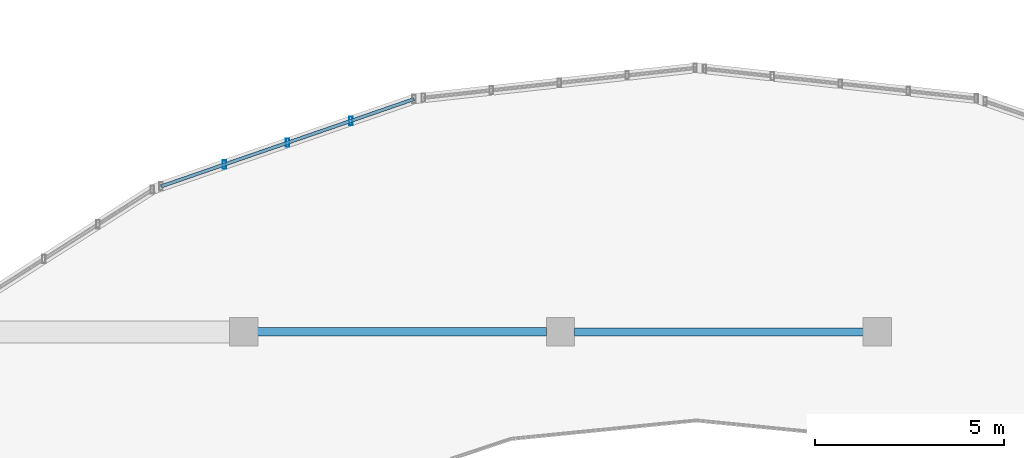
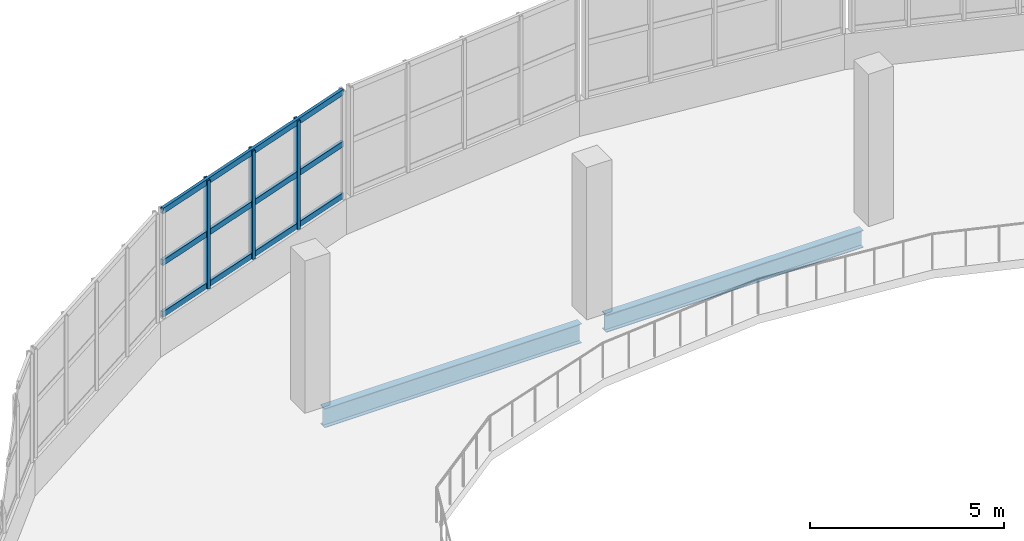
# One storey, part 15 of 77: 6 members, 2 beams, 1 element without a shape of its own.
"""IFC4 building model written with IfcOpenShell, lengths in metres."""

from ifc_helpers import new_model, si_unit, direction, frame, origin, origin_2d, place, context, subcontext, project, spatial, hollow_rectangle, i_section, extrude, material, material_profile, profile_set, type_object, element, aggregate, save


model = new_model("IFC4")

# Units and contexts
model_context = context("Model", 3, precision=1e-05, world=origin(), true_north=direction((0.0, 1.0)))
body_context = subcontext(model_context, "Body", "Model", "MODEL_VIEW")
ifc_project = project(units=[si_unit("LENGTHUNIT", "METRE"), si_unit("AREAUNIT", "SQUARE_METRE"), si_unit("VOLUMEUNIT", "CUBIC_METRE"), si_unit("PLANEANGLEUNIT", "RADIAN"), si_unit("MASSUNIT", "GRAM", prefix="KILO")], contexts=[model_context])

# Site, building, storey
site_placement = place(None, origin())
site = spatial("IfcSite", under=ifc_project, at=site_placement, CompositionType="ELEMENT")
building_placement = place(site_placement, origin())
building = spatial("IfcBuilding", under=site, at=building_placement, Name="Solvento Point Concert Hall", CompositionType="ELEMENT")
storey_placement = place(building_placement, frame((0.0, 0.0, 10.199951171875)))
storey = spatial("IfcBuildingStorey", under=building, at=storey_placement, Name="L02", CompositionType="ELEMENT", Elevation=10.199951171875)

# Beams
ifc_material_1 = material(Name="Structural Steel ASTM A992 Grade 50", Category="steel")
ifc_material_profile_1 = material_profile(ifc_material_1, i_section(OverallWidth=0.214111328125, OverallDepth=0.549072265625, WebThickness=0.0146484375, FlangeThickness=0.023681640625, at=origin_2d()), Name="W21X93")
ifc_profile_set_1 = profile_set([ifc_material_profile_1], Name="Structural Steel ASTM A992 Grade 50")
beam_type_1 = type_object("IfcBeamType", Name="Beam_W21X93", PredefinedType="BEAM", material=ifc_profile_set_1)
beam_1_placement = place(storey_placement, frame((57.968994140625, 51.0, -0.54833984375), z_axis=(1.0, 0.0, 0.0), x_axis=(0.0, 1.0, 0.0)))
element("IfcBeam", 1, at=beam_1_placement, inside=storey, type_object=beam_type_1, Name="Primary girder B-48 L02", PredefinedType="BEAM", context=body_context, shape_type="SweptSolid", body=[
    extrude(i_section(OverallWidth=0.214111328125, OverallDepth=0.549072265625, WebThickness=0.0146484375, FlangeThickness=0.023681640625, at=origin_2d()), origin(), (0.0, 0.0, 1.0), 7.662109375),
])
ifc_material_2 = material(Name="Structural Steel ASTM A992 Grade 50", Category="steel")
ifc_material_profile_2 = material_profile(ifc_material_2, i_section(OverallWidth=0.228515625, OverallDepth=0.60791015625, WebThickness=0.01123046875, FlangeThickness=0.017333984375, at=origin_2d()), Name="W24X76")
ifc_profile_set_2 = profile_set([ifc_material_profile_2], Name="Structural Steel ASTM A992 Grade 50")
beam_type_2 = type_object("IfcBeamType", Name="Beam_W24X76", PredefinedType="BEAM", material=ifc_profile_set_2)
beam_2_placement = place(storey_placement, frame((49.569091796875, 51.0, -0.577880859375), z_axis=(1.0, 0.0, 0.0), x_axis=(0.0, 1.0, 0.0)))
element("IfcBeam", 2, at=beam_2_placement, inside=storey, type_object=beam_type_2, Name="Primary girder B-42 L02", PredefinedType="BEAM", context=body_context, shape_type="SweptSolid", body=[
    extrude(i_section(OverallWidth=0.228515625, OverallDepth=0.60791015625, WebThickness=0.01123046875, FlangeThickness=0.017333984375, at=origin_2d()), origin(), (0.0, 0.0, 1.0), 7.661865234375),
])

# Curtain wall, members
ifc_material_3 = material(Name="Anodized Bronze Aluminium", Category="aluminium")
curtain_wall_type = type_object("IfcCurtainWallType", Name="CurtainWall_RingRibbon_L01_02", PredefinedType="USERDEFINED", material=ifc_material_3)
curtain_wall_placement = place(storey_placement, origin())
curtain_wall = element("IfcCurtainWall", 3, at=curtain_wall_placement, inside=storey, type_object=curtain_wall_type, Name="Unitised curtain wall CW-59 UCW-L02-174", ObjectType="UNITISED CURTAIN WALL", PredefinedType="USERDEFINED")
ifc_material_4 = material(Name="Anodized Bronze Aluminium", Category="aluminium")
ifc_material_profile_3 = material_profile(ifc_material_4, hollow_rectangle(XDim=0.090087890625, YDim=0.219970703125, WallThickness=0.00439453125, at=origin_2d()), Name="CW-MUL-90X220")
ifc_profile_set_3 = profile_set([ifc_material_profile_3], Name="Anodized Bronze Aluminium")
member_type_1 = type_object("IfcMemberType", Name="Mullion_90x220", PredefinedType="MULLION", material=ifc_profile_set_3)
member_1_placement = place(storey_placement, frame((48.685302734375, 55.435302734375, 1.1201171875), z_axis=(0.0, 0.0, 1.0), x_axis=(1.0, 0.0, 0.0)))
member_1 = element("IfcMember", 4, at=member_1_placement, type_object=member_type_1, Name="Curtain wall mullion ML-02", PredefinedType="MULLION", context=body_context, shape_type="SweptSolid", body=[
    extrude(hollow_rectangle(XDim=0.090087890625, YDim=0.219970703125, WallThickness=0.00439453125, at=origin_2d()), origin(), (0.0, 0.0, 1.0), 3.419921875),
])
member_2_placement = place(storey_placement, frame((50.36279296875, 56.014404296875, 1.1201171875), z_axis=(0.0, 0.0, 1.0), x_axis=(1.0, 0.0, 0.0)))
member_2 = element("IfcMember", 5, at=member_2_placement, type_object=member_type_1, Name="Curtain wall mullion ML-02", PredefinedType="MULLION", context=body_context, shape_type="SweptSolid", body=[
    extrude(hollow_rectangle(XDim=0.090087890625, YDim=0.219970703125, WallThickness=0.00439453125, at=origin_2d()), origin(), (0.0, 0.0, 1.0), 3.419921875),
])
member_3_placement = place(storey_placement, frame((52.040283203125, 56.593505859375, 1.1201171875), z_axis=(0.0, 0.0, 1.0), x_axis=(1.0, 0.0, 0.0)))
member_3 = element("IfcMember", 6, at=member_3_placement, type_object=member_type_1, Name="Curtain wall mullion ML-02", PredefinedType="MULLION", context=body_context, shape_type="SweptSolid", body=[
    extrude(hollow_rectangle(XDim=0.090087890625, YDim=0.219970703125, WallThickness=0.00439453125, at=origin_2d()), origin(), (0.0, 0.0, 1.0), 3.419921875),
])
ifc_material_5 = material(Name="Anodized Bronze Aluminium", Category="aluminium")
ifc_material_profile_4 = material_profile(ifc_material_5, hollow_rectangle(XDim=0.090087890625, YDim=0.179931640625, WallThickness=0.00439453125, at=origin_2d()), Name="CW-TRN-90X180")
ifc_profile_set_4 = profile_set([ifc_material_profile_4], Name="Anodized Bronze Aluminium")
member_type_2 = type_object("IfcMemberType", Name="Transom_90x180", PredefinedType="USERDEFINED", material=ifc_profile_set_4)
member_4_placement = place(storey_placement, frame((47.008056640625, 54.8564453125, 1.199951171875), z_axis=(0.945272782673, 0.32628111551, 0.0), x_axis=(-0.32628111551, 0.945272782673, 0.0)))
member_4 = element("IfcMember", 7, at=member_4_placement, type_object=member_type_2, Name="Curtain wall transom TR-02", ObjectType="TRANSOM", PredefinedType="USERDEFINED", context=body_context, shape_type="SweptSolid", body=[
    extrude(hollow_rectangle(XDim=0.090087890625, YDim=0.179931640625, WallThickness=0.00439453125, at=origin_2d()), origin(), (0.0, 0.0, 1.0), 7.097900390625),
])
member_5_placement = place(storey_placement, frame((47.008056640625, 54.8564453125, 2.830078125), z_axis=(0.945272782673, 0.32628111551, 0.0), x_axis=(-0.32628111551, 0.945272782673, 0.0)))
member_5 = element("IfcMember", 8, at=member_5_placement, type_object=member_type_2, Name="Curtain wall transom TR-02", ObjectType="TRANSOM", PredefinedType="USERDEFINED", context=body_context, shape_type="SweptSolid", body=[
    extrude(hollow_rectangle(XDim=0.090087890625, YDim=0.179931640625, WallThickness=0.00439453125, at=origin_2d()), origin(), (0.0, 0.0, 1.0), 7.097900390625),
])
member_6_placement = place(storey_placement, frame((47.008056640625, 54.8564453125, 4.4599609375), z_axis=(0.945272782673, 0.32628111551, 0.0), x_axis=(-0.32628111551, 0.945272782673, 0.0)))
member_6 = element("IfcMember", 9, at=member_6_placement, type_object=member_type_2, Name="Curtain wall transom TR-02", ObjectType="TRANSOM", PredefinedType="USERDEFINED", context=body_context, shape_type="SweptSolid", body=[
    extrude(hollow_rectangle(XDim=0.090087890625, YDim=0.179931640625, WallThickness=0.00439453125, at=origin_2d()), origin(), (0.0, 0.0, 1.0), 7.097900390625),
])
aggregate(curtain_wall, [member_1, member_2, member_3, member_4, member_5, member_6])

save(model, "model.ifc")
